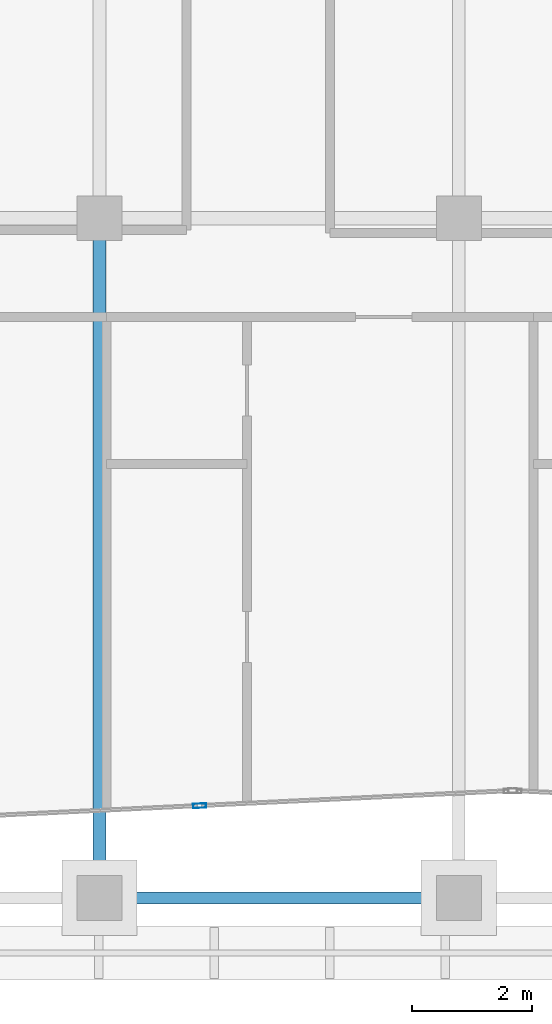
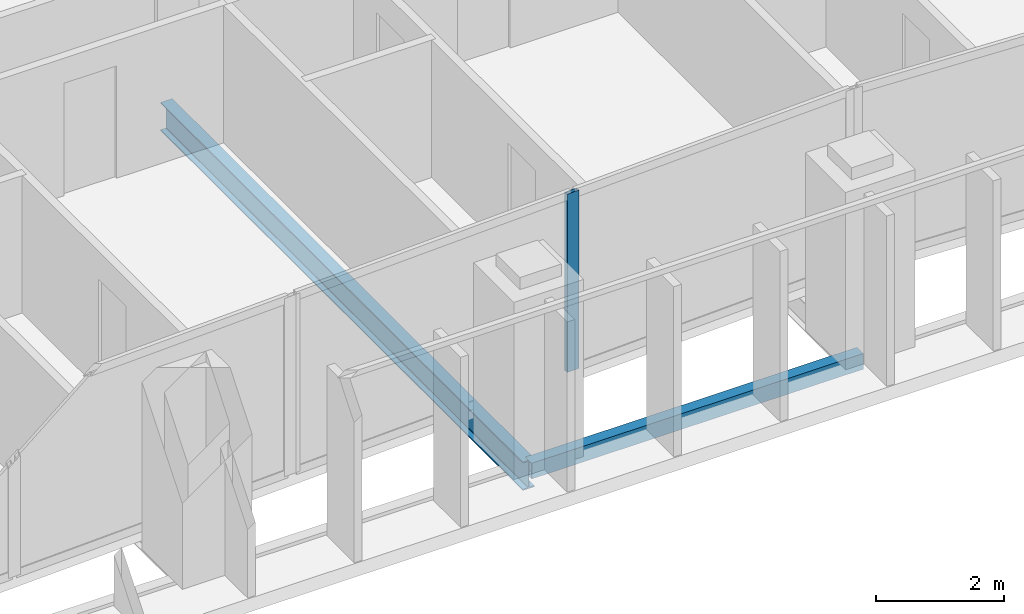
# One storey, part 7 of 32: 2 beams, 1 member, 1 element without a shape of its own.
"""IFC4 building model written with IfcOpenShell, lengths in metres."""

import ifcopenshell
import ifcopenshell.guid

model = None  # the IFC model being written
_history = None  # IfcOwnerHistory: only IFC2X3 demands one
_inside = {}  # id of a spatial element -> (the spatial element, [elements in it])
_under = {}  # id of a project, library or spatial element -> (it, [spatial elements below it])
_declared = {}  # id of a project -> (the project, [libraries it declares])
_typed = {}  # id of a type object -> (the type object, [elements of that type])
_made_of = {}  # id of a material, layer set ... -> (it, [elements and type objects made of it])


def new_model(schema):
    """Start an empty IFC model of exactly this schema.

    Asked for "IFC4X3", IfcOpenShell would pick the latest addendum, in which some entities
    have other attributes; the version numbers below select the first issue.
    IFC2X3 requires an IfcOwnerHistory on every rooted entity: one is made here for all.
    """
    global model, _history
    if schema == "IFC4X3":
        model = ifcopenshell.file(schema_version=(4, 3, 0, 0))
    else:
        model = ifcopenshell.file(schema=schema)
    _inside.clear()
    _under.clear()
    _declared.clear()
    _typed.clear()
    _made_of.clear()
    _history = None
    if model.schema == "IFC2X3":
        org = make("IfcOrganization", Name="unknown")
        user = make(
            "IfcPersonAndOrganization",
            ThePerson=make("IfcPerson", FamilyName="unknown"),
            TheOrganization=org,
        )
        app = make(
            "IfcApplication",
            ApplicationDeveloper=org,
            Version="unknown",
            ApplicationFullName="unknown",
            ApplicationIdentifier="unknown",
        )
        _history = make(
            "IfcOwnerHistory",
            OwningUser=user,
            OwningApplication=app,
            ChangeAction="ADDED",
            CreationDate=0,
        )
    return model


def make(cls, **values):
    """One entity of the class cls with the attributes given. An attribute that is None is left unset."""
    return model.create_entity(
        cls, **{name: value for name, value in values.items() if value is not None}
    )


def rooted(cls, **values):
    """An entity with a GlobalId (a new one), such as an element, a storey or a relation."""
    return make(cls, GlobalId=ifcopenshell.guid.new(), OwnerHistory=_history, **values)


def si_unit(unit_type, name, prefix=None):
    """IfcSIUnit, for example si_unit("LENGTHUNIT", "METRE", prefix="MILLI")."""
    return make("IfcSIUnit", UnitType=unit_type, Prefix=prefix, Name=name)


def assignment(units):
    """IfcUnitAssignment: the units of a project."""
    return None if units is None else make("IfcUnitAssignment", Units=units)


def point(xyz):
    """IfcCartesianPoint."""
    return None if xyz is None else make("IfcCartesianPoint", Coordinates=xyz)


def direction(xyz):
    """IfcDirection."""
    return None if xyz is None else make("IfcDirection", DirectionRatios=xyz)


def frame(location, z_axis=None, x_axis=None):
    """IfcAxis2Placement3D, a coordinate frame: its origin and axes. An axis left out is left unset."""
    return make(
        "IfcAxis2Placement3D",
        Location=point(location),
        Axis=direction(z_axis),
        RefDirection=direction(x_axis),
    )


def frame_2d(location, x_axis=None):
    """IfcAxis2Placement2D, a coordinate frame in the plane: its origin and x axis."""
    return make(
        "IfcAxis2Placement2D", Location=point(location), RefDirection=direction(x_axis)
    )


def origin():
    """The frame at (0, 0, 0) with its axes left unset."""
    return frame((0.0, 0.0, 0.0))


def origin_2d():
    """The frame at (0, 0) in the plane with its x axis left unset."""
    return frame_2d((0.0, 0.0))


def place(relative_to, where):
    """IfcLocalPlacement: puts the frame where relative to a parent placement (None: the world)."""
    return make(
        "IfcLocalPlacement", PlacementRelTo=relative_to, RelativePlacement=where
    )


def context(
    kind, dimensions, precision=None, world=None, true_north=None, identifier=None
):
    """IfcGeometricRepresentationContext, for example the 3D "Model" context."""
    return make(
        "IfcGeometricRepresentationContext",
        ContextIdentifier=identifier,
        ContextType=kind,
        CoordinateSpaceDimension=dimensions,
        Precision=precision,
        WorldCoordinateSystem=world,
        TrueNorth=true_north,
    )


def subcontext(parent, identifier, kind, view, scale=None):
    """IfcGeometricRepresentationSubContext, for example "Body" below "Model"."""
    return make(
        "IfcGeometricRepresentationSubContext",
        ContextIdentifier=identifier,
        ContextType=kind,
        ParentContext=parent,
        TargetScale=scale,
        TargetView=view,
    )


def project(units=None, contexts=None):
    """IfcProject with its units and contexts."""
    return rooted(
        "IfcProject",
        Name="project",
        RepresentationContexts=contexts,
        UnitsInContext=assignment(units),
    )


def spatial(cls, under=None, at=None, **own):
    """A site, building, storey or space (cls), placed at a placement, below another one or the project."""
    s = rooted(cls, ObjectPlacement=at, **own)
    if under is not None:
        _under.setdefault(under.id(), (under, []))[1].append(s)
    return s


def profile(cls, at=None, kind="AREA", **sizes):
    """A parametric profile (cls). Its sizes go by their IFC names, for example OverallWidth=200.0."""
    return make(cls, ProfileType=kind, Position=at, **sizes)


def hollow_rectangle(**sizes):
    """IfcRectangleHollowProfileDef."""
    return profile("IfcRectangleHollowProfileDef", **sizes)


def i_section(**sizes):
    """IfcIShapeProfileDef."""
    return profile("IfcIShapeProfileDef", **sizes)


def extrude(swept, where, along, depth):
    """IfcExtrudedAreaSolid: the profile swept, set in the frame where, extruded along a direction by depth."""
    return make(
        "IfcExtrudedAreaSolid",
        SweptArea=swept,
        Position=where,
        ExtrudedDirection=direction(along),
        Depth=depth,
    )


def shape(context_of_items, identifier, shape_type, items):
    """IfcShapeRepresentation: the items that make up one representation, for example the "Body"."""
    return make(
        "IfcShapeRepresentation",
        ContextOfItems=context_of_items,
        RepresentationIdentifier=identifier,
        RepresentationType=shape_type,
        Items=items,
    )


def material(Name=None, Category=None):
    """IfcMaterial."""
    return make("IfcMaterial", Name=Name, Category=Category)


def layer(
    of_material, thickness, ventilated=None, Name=None, Category=None, Priority=None
):
    """IfcMaterialLayer: one layer of a wall or slab, of a material (None: an air gap)."""
    return make(
        "IfcMaterialLayer",
        Material=of_material,
        LayerThickness=thickness,
        IsVentilated=ventilated,
        Name=Name,
        Category=Category,
        Priority=Priority,
    )


def layer_set(layers, Name=None):
    """IfcMaterialLayerSet."""
    return make("IfcMaterialLayerSet", MaterialLayers=layers, LayerSetName=Name)


def material_profile(
    of_material, cross_section, Name=None, Category=None, Priority=None
):
    """IfcMaterialProfile: a cross section and its material."""
    return make(
        "IfcMaterialProfile",
        Name=Name,
        Material=of_material,
        Profile=cross_section,
        Priority=Priority,
        Category=Category,
    )


def profile_set(profiles, Name=None, composite=None):
    """IfcMaterialProfileSet."""
    return make(
        "IfcMaterialProfileSet",
        Name=Name,
        MaterialProfiles=profiles,
        CompositeProfile=composite,
    )


def made_of(thing, what):
    """Note that an element or type object is made of a material, layer set ...; save() writes the relation."""
    if what is not None:
        _made_of.setdefault(what.id(), (what, []))[1].append(thing)
    return thing


def type_object(cls, material=None, **own):
    """A type object (cls), such as IfcWallType, which elements share."""
    return made_of(rooted(cls, **own), material)


def element(
    cls,
    number,
    at=None,
    inside=None,
    cuts=None,
    type_object=None,
    material=None,
    context=None,
    identifier="Body",
    shape_type=None,
    held_by="IfcProductDefinitionShape",
    body=None,
    shapes=None,
    **own,
):
    """One element of the class cls, such as IfcWall. Its Tag is "e" and its number.

    at: its placement. inside: the storey or other place that contains it. cuts: it is an
    opening in that element (IfcRelVoidsElement). A single representation is given by context,
    identifier, shape_type and body (its items); several are given by shapes. held_by: the class
    of the entity that holds the representations. save() writes the other relations.
    """
    e = rooted(cls, Tag="e%d" % number, ObjectPlacement=at, **own)
    if body is not None:
        shapes = [shape(context, identifier, shape_type, body)]
    if shapes is not None:
        e.Representation = make(held_by, Representations=shapes)
    if inside is not None:
        _inside.setdefault(inside.id(), (inside, []))[1].append(e)
    if cuts is not None:
        rooted(
            "IfcRelVoidsElement", RelatingBuildingElement=cuts, RelatedOpeningElement=e
        )
    if type_object is not None:
        _typed.setdefault(type_object.id(), (type_object, []))[1].append(e)
    return made_of(e, material)


def aggregate(whole, parts):
    """IfcRelAggregates: a whole, such as a stair, and the parts it consists of."""
    return rooted("IfcRelAggregates", RelatingObject=whole, RelatedObjects=parts)


def save(model, path):
    """Write the relations noted so far, then the file.

    IfcRelAggregates (storeys below a building ...), IfcRelContainedInSpatialStructure (elements
    in a storey), IfcRelDefinesByType, IfcRelAssociatesMaterial and IfcRelDeclares: one each for
    every whole, place, type object, material and project.
    """
    for whole, parts in _under.values():
        aggregate(whole, parts)
    for where, things in _inside.values():
        rooted(
            "IfcRelContainedInSpatialStructure",
            RelatedElements=things,
            RelatingStructure=where,
        )
    for kind, things in _typed.values():
        rooted("IfcRelDefinesByType", RelatedObjects=things, RelatingType=kind)
    for what, things in _made_of.values():
        rooted("IfcRelAssociatesMaterial", RelatedObjects=things, RelatingMaterial=what)
    for by, libraries in _declared.values():
        rooted("IfcRelDeclares", RelatingContext=by, RelatedDefinitions=libraries)
    model.write(path)


model = new_model("IFC4")

# Units and contexts
model_context = context("Model", 3, precision=1e-05, world=origin(), true_north=direction((0.0, 1.0)))
body_context = subcontext(model_context, "Body", "Model", "MODEL_VIEW")
ifc_project = project(units=[si_unit("LENGTHUNIT", "METRE"), si_unit("AREAUNIT", "SQUARE_METRE"), si_unit("VOLUMEUNIT", "CUBIC_METRE"), si_unit("PLANEANGLEUNIT", "RADIAN"), si_unit("MASSUNIT", "GRAM", prefix="KILO")], contexts=[model_context])

# Site, building, storey
site_placement = place(None, origin())
site = spatial("IfcSite", under=ifc_project, at=site_placement, CompositionType="ELEMENT")
building_placement = place(site_placement, origin())
building = spatial("IfcBuilding", under=site, at=building_placement, Name="Tanjung Sevakor Pilgrim Tower", CompositionType="ELEMENT")
storey_placement = place(building_placement, frame((0.0, 0.0, 211.860107421875)))
storey = spatial("IfcBuildingStorey", under=building, at=storey_placement, Name="L59", CompositionType="ELEMENT", Elevation=211.860107421875)

# Beams
ifc_material_1 = material(Name="Steel S355J2", Category="steel")
ifc_material_profile_1 = material_profile(ifc_material_1, i_section(OverallWidth=0.2119140625, OverallDepth=0.54443359375, WebThickness=0.0126953125, FlangeThickness=0.021240234375, FilletRadius=0.0126953125, at=origin_2d()))
ifc_profile_set_1 = profile_set([ifc_material_profile_1], Name="Steel S355J2")
beam_type_1 = type_object("IfcBeamType", Name="BM-B-G5-UB_533x210x122", PredefinedType="BEAM", material=ifc_profile_set_1)
beam_1_placement = place(storey_placement, frame((66.0, 13.25, -0.492431640625), z_axis=(0.0, 1.0, 0.0), x_axis=(-1.0, 0.0, 0.0)))
element("IfcBeam", 1, at=beam_1_placement, inside=storey, type_object=beam_type_1, Name="L59 MAIN Girder 015", PredefinedType="BEAM", context=body_context, shape_type="SweptSolid", body=[
    extrude(i_section(OverallWidth=0.2119140625, OverallDepth=0.54443359375, WebThickness=0.0126953125, FlangeThickness=0.021240234375, FilletRadius=0.0126953125, at=origin_2d()), origin(), (0.0, 0.0, 1.0), 11.35009765625),
])
ifc_material_2 = material(Name="Steel S355J2", Category="steel")
ifc_material_profile_2 = material_profile(ifc_material_2, hollow_rectangle(XDim=0.199951171875, YDim=0.300048828125, WallThickness=0.012451171875, at=origin_2d()))
ifc_profile_set_2 = profile_set([ifc_material_profile_2], Name="Steel S355J2")
beam_type_2 = type_object("IfcBeamType", Name="BM-B-SP3-RHS_300x200x12.5", PredefinedType="SPANDREL", material=ifc_profile_set_2)
beam_2_placement = place(storey_placement, frame((66.0, 13.25, -0.3701171875), z_axis=(1.0, 0.0, 0.0), x_axis=(0.0, 1.0, 0.0)))
element("IfcBeam", 2, at=beam_2_placement, inside=storey, type_object=beam_type_2, Name="L59 Spandrel MAIN S-09", PredefinedType="SPANDREL", context=body_context, shape_type="SweptSolid", body=[
    extrude(hollow_rectangle(XDim=0.199951171875, YDim=0.300048828125, WallThickness=0.012451171875, at=origin_2d()), origin(), (0.0, 0.0, 1.0), 6.0),
])

# Curtain wall, member
ifc_material_3 = material(Name="Aluminium 6063-T6 and Low-E Glass", Category="aluminium")
ifc_layer = layer(ifc_material_3, 0.199951171875)
ifc_layer_set = layer_set([ifc_layer], Name="CW-SYS-PRAY")
curtain_wall_type = type_object("IfcCurtainWallType", Name="CW-SYS-PRAY", PredefinedType="NOTDEFINED", material=ifc_layer_set)
curtain_wall_placement = place(storey_placement, origin())
curtain_wall = element("IfcCurtainWall", 3, at=curtain_wall_placement, inside=storey, type_object=curtain_wall_type, Name="L59 Curtain Wall CW-PRY-L59-10", PredefinedType="NOTDEFINED")
ifc_material_4 = material(Name="Aluminium 6063-T6", Category="aluminium")
ifc_material_profile_3 = material_profile(ifc_material_4, hollow_rectangle(XDim=0.074951171875, YDim=0.219970703125, WallThickness=0.0048828125, at=origin_2d()))
ifc_profile_set_3 = profile_set([ifc_material_profile_3], Name="Aluminium 6063-T6")
member_type = type_object("IfcMemberType", Name="TYPE-CWM-2", PredefinedType="MULLION", material=ifc_profile_set_3)
member_placement = place(storey_placement, frame((67.67236328125, 14.7900390625, 0.0), z_axis=(0.0, 0.0, 1.0), x_axis=(-0.047787107337, 0.998857543583, 0.0)))
member = element("IfcMember", 4, at=member_placement, type_object=member_type, Name="CW-PRY mullion 2", PredefinedType="MULLION", context=body_context, shape_type="SweptSolid", body=[
    extrude(hollow_rectangle(XDim=0.074951171875, YDim=0.219970703125, WallThickness=0.0048828125, at=origin_2d()), origin(), (0.0, 0.0, 1.0), 3.409912109375),
])
aggregate(curtain_wall, [member])

save(model, "model.ifc")
